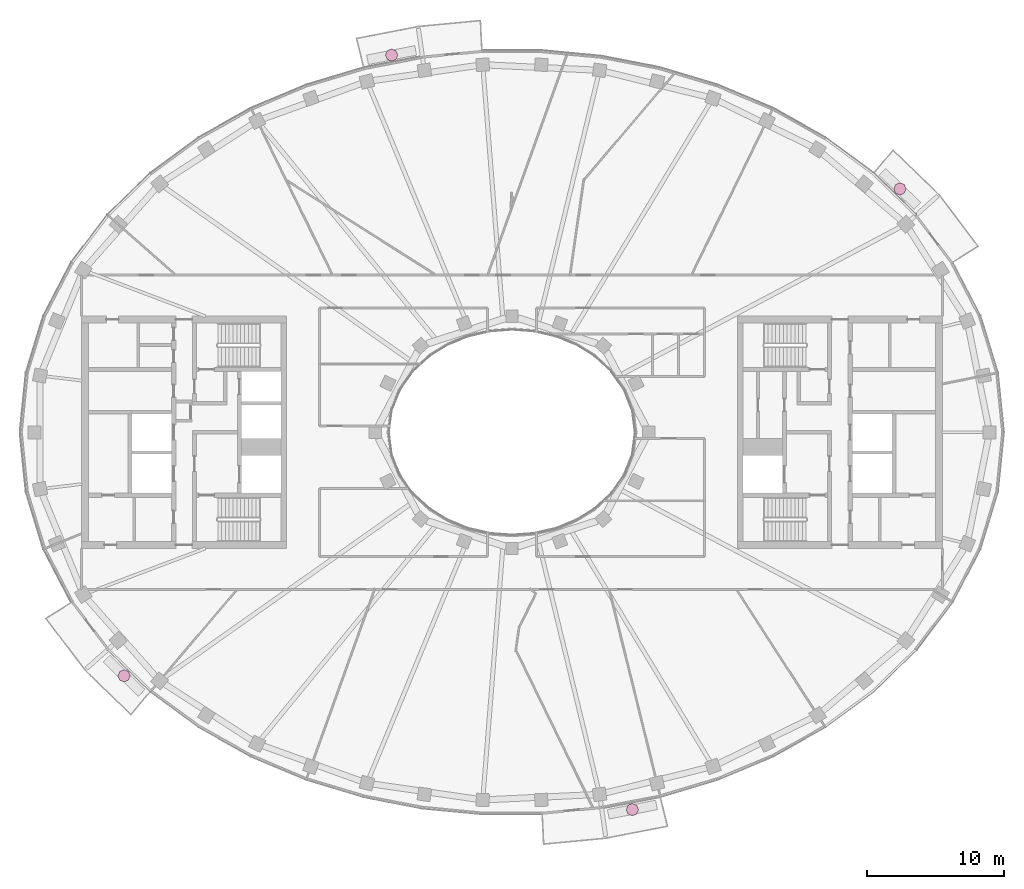
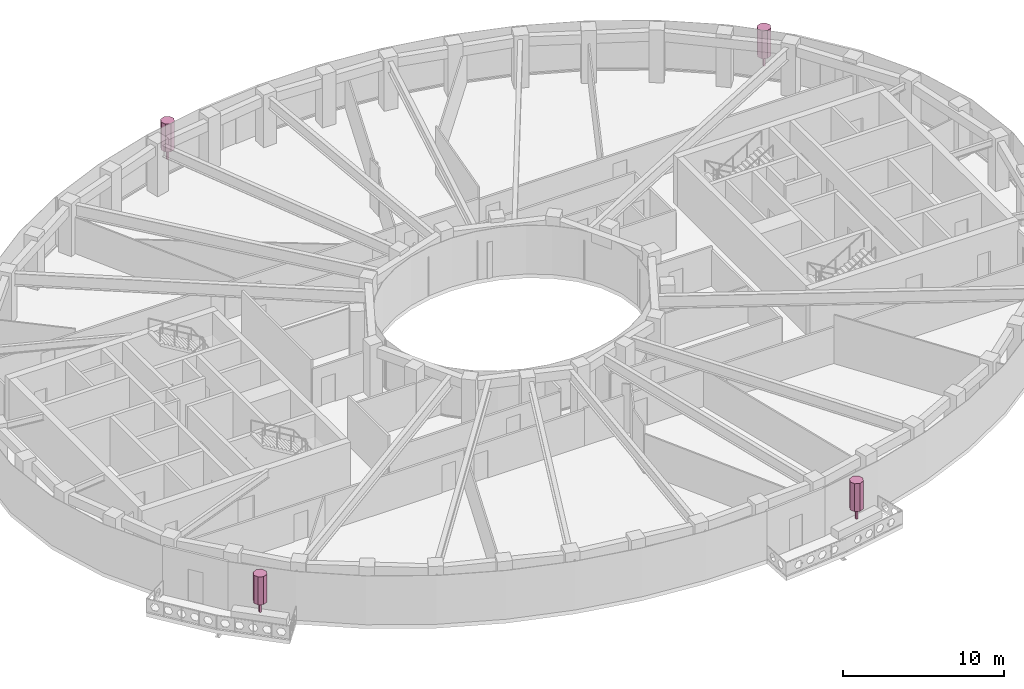
# One storey, part 16 of 16: 4 furnishings.
"""IFC4 building model written with IfcOpenShell, lengths in metres."""

from ifc_helpers import new_model, si_unit, direction, frame, origin, origin_2d, place, context, subcontext, project, spatial, polyline, rectangle, outline, extrude, material, type_object, element, save


model = new_model("IFC4")

# Units and contexts
model_context = context("Model", 3, precision=1e-05, world=origin(), true_north=direction((0.0, 1.0)))
body_context = subcontext(model_context, "Body", "Model", "MODEL_VIEW")
ifc_project = project(units=[si_unit("LENGTHUNIT", "METRE"), si_unit("AREAUNIT", "SQUARE_METRE"), si_unit("VOLUMEUNIT", "CUBIC_METRE"), si_unit("PLANEANGLEUNIT", "RADIAN"), si_unit("MASSUNIT", "GRAM", prefix="KILO")], contexts=[model_context])

# Site, building, storey
site_placement = place(None, origin())
site = spatial("IfcSite", under=ifc_project, at=site_placement, CompositionType="ELEMENT")
building_placement = place(site_placement, origin())
building = spatial("IfcBuilding", under=site, at=building_placement, Name="Noorbagh Ring Tower", CompositionType="ELEMENT")
storey_placement = place(building_placement, frame((0.0, 0.0, 299.0)))
storey = spatial("IfcBuildingStorey", under=building, at=storey_placement, Name="L64", CompositionType="ELEMENT", Elevation=299.0)

# Furnishings
ifc_material = material(Name="Planting foliage green")
furnishing_element_type = type_object("IfcFurnishingElementType", Name="ENV-TREE", material=ifc_material)
for number, where, z_axis, x_axis, name in (
    (1, (28.3837890625, 17.814208984375, 0.60009765625), (0.0, 0.0, 1.0), (1.0, 0.0, 0.0), "Tree BN01"),
    (2, (-8.807861328125, 27.603515625, 0.60009765625), (0.0, 0.0, 1.0), (1.0, 0.0, 0.0), "Tree BN04"),
    (3, (-28.3837890625, -17.814208984375, 0.60009765625), (0.0, 0.0, 1.0), (1.0, 0.0, 0.0), "Tree BS01"),
    (4, (8.807861328125, -27.603515625, 0.60009765625), (0.0, 0.0, 1.0), (1.0, 0.0, 0.0), "Tree BS04"),
):
    element("IfcFurnishingElement", number, at=place(storey_placement, frame(where, z_axis=z_axis, x_axis=x_axis)), inside=storey, type_object=furnishing_element_type, Name=name, context=body_context, shape_type="SweptSolid", body=[
        extrude(rectangle(XDim=0.1201171875, YDim=0.1201171875, at=origin_2d()), origin(), (0.0, 0.0, 1.0), 0.825927734375),
        extrude(outline(polyline([(0.449951171875, 0.0), (0.318115234375, 0.318115234375), (0.0, 0.449951171875), (-0.318115234375, 0.318115234375), (-0.449951171875, 0.0), (-0.318115234375, -0.318115234375), (0.0, -0.449951171875), (0.318115234375, -0.318115234375), (0.449951171875, 0.0)])), frame((0.0, 0.0, 0.825927734375)), (0.0, 0.0, 1.0), 2.1240234375),
    ])

save(model, "model.ifc")
